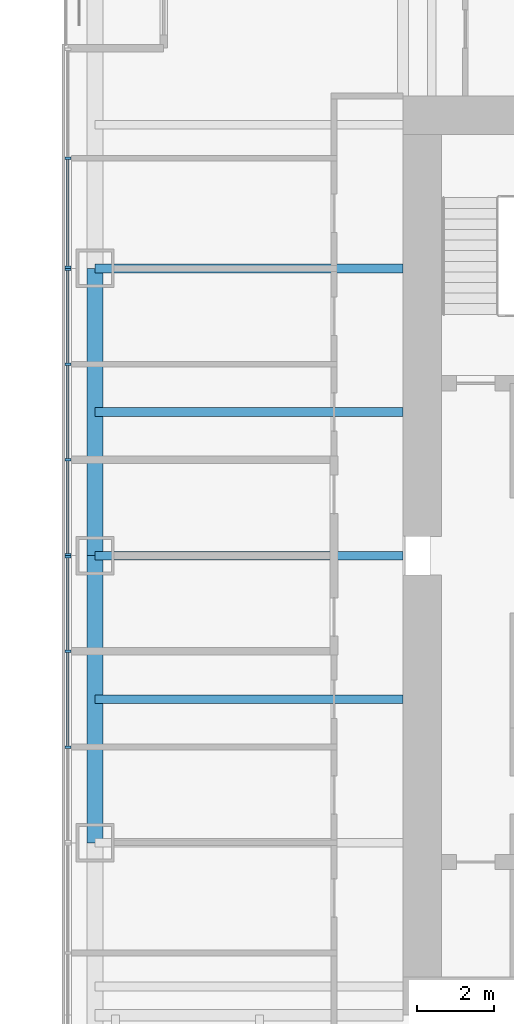
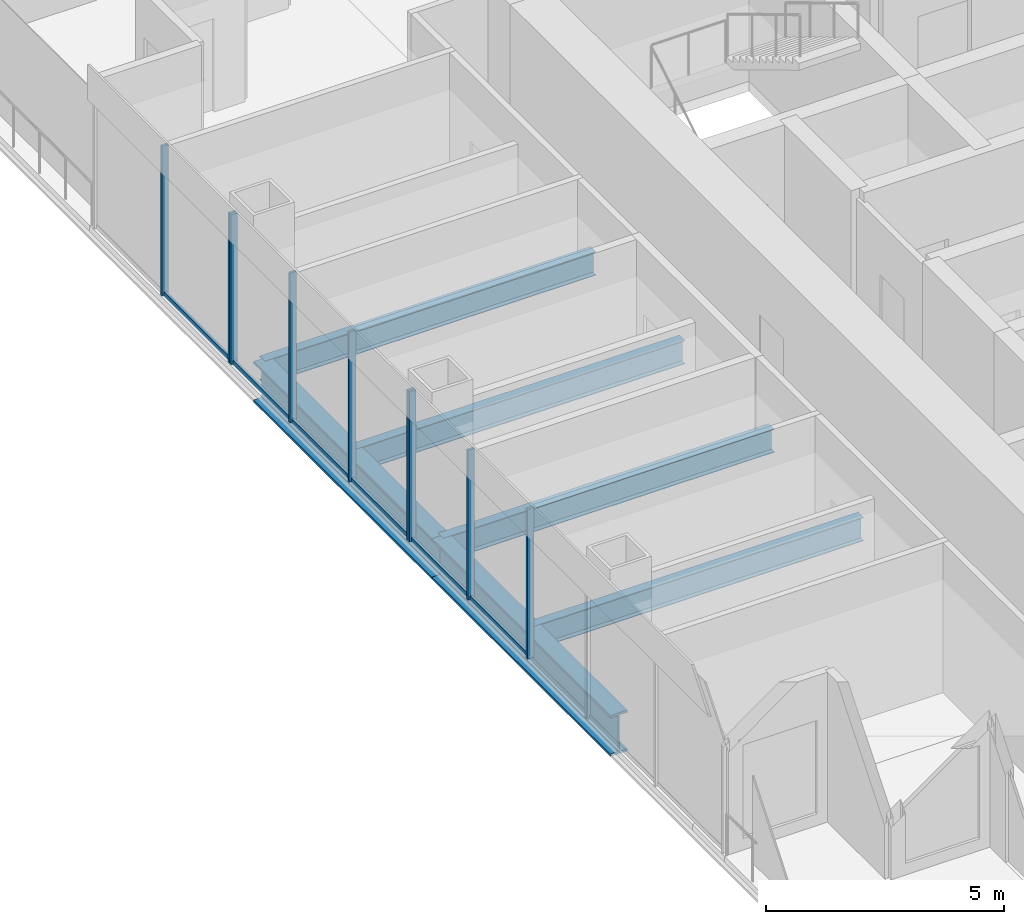
# One storey, part 4 of 15: 15 members, 6 beams, 3 elements without a shape of their own.
"""IFC4 building model written with IfcOpenShell, lengths in metres."""

from ifc_helpers import new_model, si_unit, direction, frame, origin, origin_2d, place, context, subcontext, project, spatial, rectangle, i_section, extrude, material, material_profile, profile_set, type_object, element, aggregate, save


model = new_model("IFC4")

# Units and contexts
model_context = context("Model", 3, precision=1e-05, world=origin(), true_north=direction((0.0, 1.0)))
body_context = subcontext(model_context, "Body", "Model", "MODEL_VIEW")
ifc_project = project(units=[si_unit("LENGTHUNIT", "METRE"), si_unit("AREAUNIT", "SQUARE_METRE"), si_unit("VOLUMEUNIT", "CUBIC_METRE"), si_unit("PLANEANGLEUNIT", "RADIAN"), si_unit("MASSUNIT", "GRAM", prefix="KILO")], contexts=[model_context])

# Site, building, storey
site_placement = place(None, origin())
site = spatial("IfcSite", under=ifc_project, at=site_placement, CompositionType="ELEMENT")
building_placement = place(site_placement, origin())
building = spatial("IfcBuilding", under=site, at=building_placement, Name="Tarangal Relay Tower", CompositionType="ELEMENT")
storey_placement = place(building_placement, frame((0.0, 0.0, 299.89990234375)))
storey = spatial("IfcBuildingStorey", under=building, at=storey_placement, Name="L66", CompositionType="ELEMENT", Elevation=299.89990234375)

# Beams
ifc_material_1 = material(Name="Steel ASTM A992", Category="steel")
ifc_material_profile_1 = material_profile(ifc_material_1, i_section(OverallWidth=0.41162109375, OverallDepth=1.049072265625, WebThickness=0.033935546875, FlangeThickness=0.059814453125, at=origin_2d()), Name="W40X431")
ifc_profile_set_1 = profile_set([ifc_material_profile_1], Name="Steel ASTM A992")
beam_type_1 = type_object("IfcBeamType", Name="Edge girder W40X431", PredefinedType="SPANDREL", material=ifc_profile_set_1)
for number, where, z_axis, x_axis, name in (
    (1, (-20.0400390625, -7.5, -0.67431640625), (0.0, 1.0, 0.0), (-1.0, 0.0, 0.0), "Edge girder EG1 W L66"),
    (2, (-20.0400390625, 0.0, -0.67431640625), (0.0, 1.0, 0.0), (-1.0, 0.0, 0.0), "Edge girder EG1 W L66"),
):
    element("IfcBeam", number, at=place(storey_placement, frame(where, z_axis=z_axis, x_axis=x_axis)), inside=storey, type_object=beam_type_1, Name=name, PredefinedType="SPANDREL", context=body_context, shape_type="SweptSolid", body=[
        extrude(i_section(OverallWidth=0.41162109375, OverallDepth=1.049072265625, WebThickness=0.033935546875, FlangeThickness=0.059814453125, at=origin_2d()), origin(), (0.0, 0.0, 1.0), 7.5),
    ])
ifc_material_profile_2 = material_profile(ifc_material_1, i_section(OverallWidth=0.228271484375, OverallDepth=0.607177734375, WebThickness=0.01123046875, FlangeThickness=0.017333984375, at=origin_2d()), Name="W24X76")
ifc_profile_set_2 = profile_set([ifc_material_profile_2], Name="Steel ASTM A992")
beam_type_2 = type_object("IfcBeamType", Name="Floor beam W24X76", PredefinedType="BEAM", material=ifc_profile_set_2)
for number, where, z_axis, x_axis, name in (
    (3, (-12.0, -3.75, -0.453369140625), (-1.0, 0.0, 0.0), (0.0, -1.0, 0.0), "Floor beam RB5 W L66"),
    (4, (-12.0, 0.0, -0.453369140625), (-1.0, 0.0, 0.0), (0.0, -1.0, 0.0), "Floor beam RB5 W L66"),
    (5, (-12.0, 3.75, -0.453369140625), (-1.0, 0.0, 0.0), (0.0, -1.0, 0.0), "Floor beam RB5 W L66"),
    (6, (-12.0, 7.5, -0.453369140625), (-1.0, 0.0, 0.0), (0.0, -1.0, 0.0), "Floor beam RB5 W L66"),
):
    element("IfcBeam", number, at=place(storey_placement, frame(where, z_axis=z_axis, x_axis=x_axis)), inside=storey, type_object=beam_type_2, Name=name, PredefinedType="BEAM", context=body_context, shape_type="SweptSolid", body=[
        extrude(i_section(OverallWidth=0.228271484375, OverallDepth=0.607177734375, WebThickness=0.01123046875, FlangeThickness=0.017333984375, at=origin_2d()), origin(), (0.0, 0.0, 1.0), 8.0400390625),
    ])

# Curtain wall, members
ifc_material_2 = material(Name="Unitised curtain wall, dark glass and black aluminium", Category="aluminium")
curtain_wall_type = type_object("IfcCurtainWallType", Name="Curtain wall CW-B", PredefinedType="USERDEFINED", material=ifc_material_2)
curtain_wall_1_placement = place(storey_placement, origin())
curtain_wall_1 = element("IfcCurtainWall", 7, at=curtain_wall_1_placement, inside=storey, type_object=curtain_wall_type, Name="Curtain wall CW-B W facade L66", ObjectType="UNITISED CURTAIN WALL", PredefinedType="USERDEFINED")
ifc_material_3 = material(Name="Black anodised aluminium mullion", Category="aluminium")
ifc_material_profile_3 = material_profile(ifc_material_3, rectangle(XDim=0.159912109375, YDim=0.06005859375, at=origin_2d()), Name="CW-BM 60X160")
ifc_profile_set_3 = profile_set([ifc_material_profile_3], Name="Black anodised aluminium mullion")
member_type_1 = type_object("IfcMemberType", Name="Mullion CW-B 60 x 160", PredefinedType="MULLION", material=ifc_profile_set_3)
member_1_placement = place(storey_placement, frame((-20.75, -5.0, 0.0), z_axis=(0.0, 0.0, 1.0), x_axis=(-1.0, 0.0, 0.0)))
member_1 = element("IfcMember", 8, at=member_1_placement, type_object=member_type_1, Name="CW-B mullion 2", PredefinedType="MULLION", context=body_context, shape_type="SweptSolid", body=[
    extrude(rectangle(XDim=0.159912109375, YDim=0.06005859375, at=origin_2d()), origin(), (0.0, 0.0, 1.0), 3.85009765625),
])
member_2_placement = place(storey_placement, frame((-20.75, -2.5, 0.0), z_axis=(0.0, 0.0, 1.0), x_axis=(-1.0, 0.0, 0.0)))
member_2 = element("IfcMember", 9, at=member_2_placement, type_object=member_type_1, Name="CW-B mullion 3", PredefinedType="MULLION", context=body_context, shape_type="SweptSolid", body=[
    extrude(rectangle(XDim=0.159912109375, YDim=0.06005859375, at=origin_2d()), origin(), (0.0, 0.0, 1.0), 3.85009765625),
])
member_3_placement = place(storey_placement, frame((-20.75, -0.030029296875, 0.0), z_axis=(0.0, 0.0, 1.0), x_axis=(-1.0, 0.0, 0.0)))
member_3 = element("IfcMember", 10, at=member_3_placement, type_object=member_type_1, Name="CW-B mullion 4", PredefinedType="MULLION", context=body_context, shape_type="SweptSolid", body=[
    extrude(rectangle(XDim=0.159912109375, YDim=0.06005859375, at=origin_2d()), origin(), (0.0, 0.0, 1.0), 3.85009765625),
])

curtain_wall_2_placement = place(storey_placement, origin())
curtain_wall_2 = element("IfcCurtainWall", 11, at=curtain_wall_2_placement, inside=storey, type_object=curtain_wall_type, Name="Curtain wall CW-B W facade L66", ObjectType="UNITISED CURTAIN WALL", PredefinedType="USERDEFINED")
member_4_placement = place(storey_placement, frame((-20.75, 0.030029296875, 0.0), z_axis=(0.0, 0.0, 1.0), x_axis=(-1.0, 0.0, 0.0)))
member_4 = element("IfcMember", 12, at=member_4_placement, type_object=member_type_1, Name="CW-B mullion 1", PredefinedType="MULLION", context=body_context, shape_type="SweptSolid", body=[
    extrude(rectangle(XDim=0.159912109375, YDim=0.06005859375, at=origin_2d()), origin(), (0.0, 0.0, 1.0), 3.85009765625),
])
member_5_placement = place(storey_placement, frame((-20.75, 2.5, 0.0), z_axis=(0.0, 0.0, 1.0), x_axis=(-1.0, 0.0, 0.0)))
member_5 = element("IfcMember", 13, at=member_5_placement, type_object=member_type_1, Name="CW-B mullion 2", PredefinedType="MULLION", context=body_context, shape_type="SweptSolid", body=[
    extrude(rectangle(XDim=0.159912109375, YDim=0.06005859375, at=origin_2d()), origin(), (0.0, 0.0, 1.0), 3.85009765625),
])
member_6_placement = place(storey_placement, frame((-20.75, 5.0, 0.0), z_axis=(0.0, 0.0, 1.0), x_axis=(-1.0, 0.0, 0.0)))
member_6 = element("IfcMember", 14, at=member_6_placement, type_object=member_type_1, Name="CW-B mullion 3", PredefinedType="MULLION", context=body_context, shape_type="SweptSolid", body=[
    extrude(rectangle(XDim=0.159912109375, YDim=0.06005859375, at=origin_2d()), origin(), (0.0, 0.0, 1.0), 3.85009765625),
])
member_7_placement = place(storey_placement, frame((-20.75, 7.469970703125, 0.0), z_axis=(0.0, 0.0, 1.0), x_axis=(-1.0, 0.0, 0.0)))
member_7 = element("IfcMember", 15, at=member_7_placement, type_object=member_type_1, Name="CW-B mullion 4", PredefinedType="MULLION", context=body_context, shape_type="SweptSolid", body=[
    extrude(rectangle(XDim=0.159912109375, YDim=0.06005859375, at=origin_2d()), origin(), (0.0, 0.0, 1.0), 3.85009765625),
])

curtain_wall_3_placement = place(storey_placement, origin())
curtain_wall_3 = element("IfcCurtainWall", 16, at=curtain_wall_3_placement, inside=storey, type_object=curtain_wall_type, Name="Curtain wall CW-B W facade L66", ObjectType="UNITISED CURTAIN WALL", PredefinedType="USERDEFINED")
member_8_placement = place(storey_placement, frame((-20.75, 7.530029296875, 0.0), z_axis=(0.0, 0.0, 1.0), x_axis=(-1.0, 0.0, 0.0)))
member_8 = element("IfcMember", 17, at=member_8_placement, type_object=member_type_1, Name="CW-B mullion 1", PredefinedType="MULLION", context=body_context, shape_type="SweptSolid", body=[
    extrude(rectangle(XDim=0.159912109375, YDim=0.06005859375, at=origin_2d()), origin(), (0.0, 0.0, 1.0), 3.85009765625),
])
member_9_placement = place(storey_placement, frame((-20.75, 10.375, 0.0), z_axis=(0.0, 0.0, 1.0), x_axis=(-1.0, 0.0, 0.0)))
member_9 = element("IfcMember", 18, at=member_9_placement, type_object=member_type_1, Name="CW-B mullion 2", PredefinedType="MULLION", context=body_context, shape_type="SweptSolid", body=[
    extrude(rectangle(XDim=0.159912109375, YDim=0.06005859375, at=origin_2d()), origin(), (0.0, 0.0, 1.0), 3.85009765625),
])

# Member
ifc_material_4 = material(Name="Black anodised aluminium transom", Category="aluminium")
ifc_material_profile_4 = material_profile(ifc_material_4, rectangle(XDim=0.06005859375, YDim=0.1298828125, at=origin_2d()), Name="CW-BT 60X130")
ifc_profile_set_4 = profile_set([ifc_material_profile_4], Name="Black anodised aluminium transom")
member_type_2 = type_object("IfcMemberType", Name="Transom CW-B 60 x 130", PredefinedType="USERDEFINED", material=ifc_profile_set_4)
member_10_placement = place(storey_placement, frame((-20.75, -4.969970703125, 0.030029296875), z_axis=(0.0, 1.0, 0.0), x_axis=(-1.0, 0.0, 0.0)))
member_10 = element("IfcMember", 19, at=member_10_placement, type_object=member_type_2, Name="CW-B transom 2.1", ObjectType="TRANSOM", PredefinedType="USERDEFINED", context=body_context, shape_type="SweptSolid", body=[
    extrude(rectangle(XDim=0.06005859375, YDim=0.1298828125, at=origin_2d()), origin(), (0.0, 0.0, 1.0), 2.43994140625),
])

member_11_placement = place(storey_placement, frame((-20.75, -2.469970703125, 0.030029296875), z_axis=(0.0, 1.0, 0.0), x_axis=(-1.0, 0.0, 0.0)))
member_11 = element("IfcMember", 20, at=member_11_placement, type_object=member_type_2, Name="CW-B transom 3.1", ObjectType="TRANSOM", PredefinedType="USERDEFINED", context=body_context, shape_type="SweptSolid", body=[
    extrude(rectangle(XDim=0.06005859375, YDim=0.1298828125, at=origin_2d()), origin(), (0.0, 0.0, 1.0), 2.409912109375),
])

aggregate(curtain_wall_1, [member_1, member_2, member_3, member_10, member_11])

member_12_placement = place(storey_placement, frame((-20.75, 0.06005859375, 0.030029296875), z_axis=(0.0, 1.0, 0.0), x_axis=(-1.0, 0.0, 0.0)))
member_12 = element("IfcMember", 21, at=member_12_placement, type_object=member_type_2, Name="CW-B transom 1.1", ObjectType="TRANSOM", PredefinedType="USERDEFINED", context=body_context, shape_type="SweptSolid", body=[
    extrude(rectangle(XDim=0.06005859375, YDim=0.1298828125, at=origin_2d()), origin(), (0.0, 0.0, 1.0), 2.409912109375),
])

member_13_placement = place(storey_placement, frame((-20.75, 2.530029296875, 0.030029296875), z_axis=(0.0, 1.0, 0.0), x_axis=(-1.0, 0.0, 0.0)))
member_13 = element("IfcMember", 22, at=member_13_placement, type_object=member_type_2, Name="CW-B transom 2.1", ObjectType="TRANSOM", PredefinedType="USERDEFINED", context=body_context, shape_type="SweptSolid", body=[
    extrude(rectangle(XDim=0.06005859375, YDim=0.1298828125, at=origin_2d()), origin(), (0.0, 0.0, 1.0), 2.43994140625),
])

member_14_placement = place(storey_placement, frame((-20.75, 5.030029296875, 0.030029296875), z_axis=(0.0, 1.0, 0.0), x_axis=(-1.0, 0.0, 0.0)))
member_14 = element("IfcMember", 23, at=member_14_placement, type_object=member_type_2, Name="CW-B transom 3.1", ObjectType="TRANSOM", PredefinedType="USERDEFINED", context=body_context, shape_type="SweptSolid", body=[
    extrude(rectangle(XDim=0.06005859375, YDim=0.1298828125, at=origin_2d()), origin(), (0.0, 0.0, 1.0), 2.409912109375),
])

aggregate(curtain_wall_2, [member_4, member_5, member_6, member_7, member_12, member_13, member_14])

member_15_placement = place(storey_placement, frame((-20.75, 7.56005859375, 0.030029296875), z_axis=(0.0, 1.0, 0.0), x_axis=(-1.0, 0.0, 0.0)))
member_15 = element("IfcMember", 24, at=member_15_placement, type_object=member_type_2, Name="CW-B transom 1.1", ObjectType="TRANSOM", PredefinedType="USERDEFINED", context=body_context, shape_type="SweptSolid", body=[
    extrude(rectangle(XDim=0.06005859375, YDim=0.1298828125, at=origin_2d()), origin(), (0.0, 0.0, 1.0), 2.784912109375),
])

aggregate(curtain_wall_3, [member_8, member_9, member_15])

save(model, "model.ifc")
